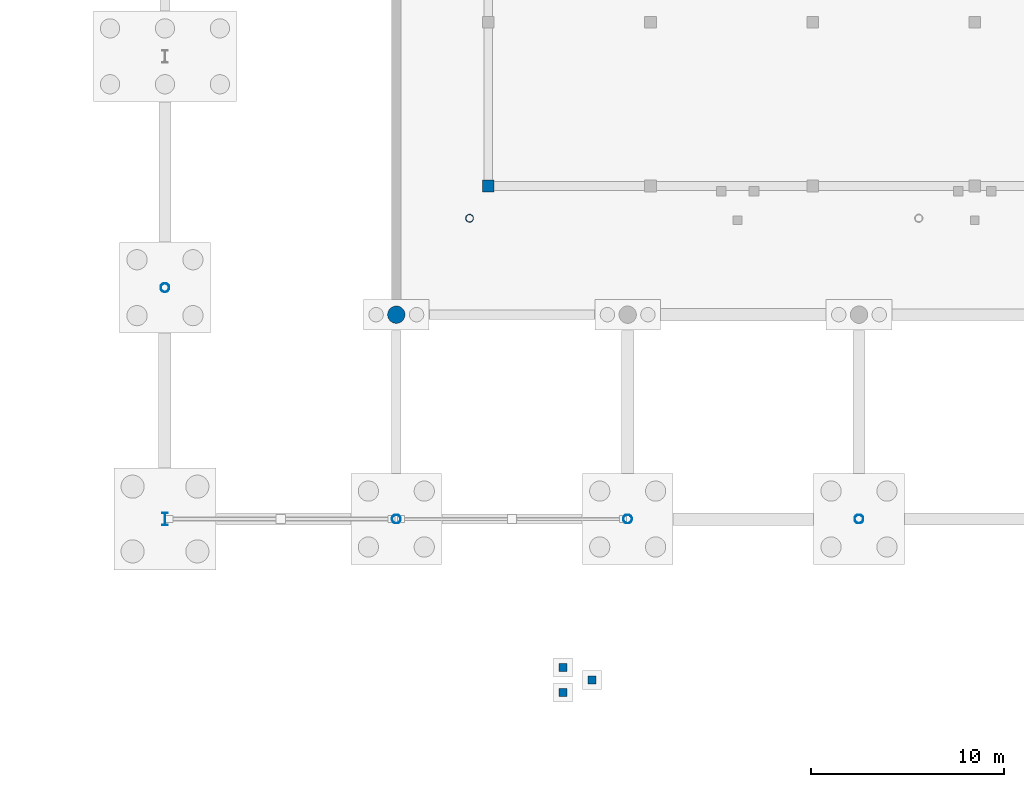
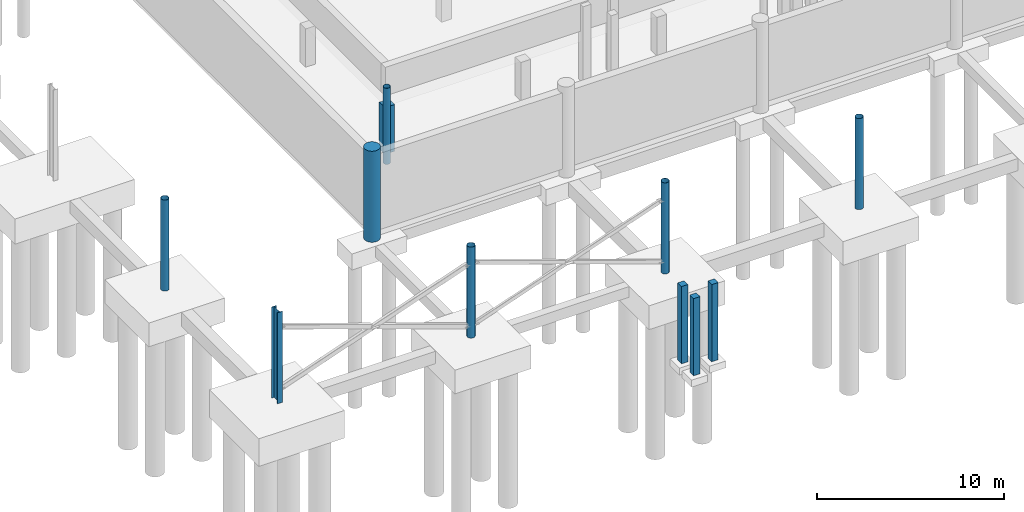
# One storey, part 9 of 42: 11 columns.
"""IFC4 building model written with IfcOpenShell, lengths in metres."""

from ifc_helpers import new_model, si_unit, direction, frame, origin, origin_2d, place, context, subcontext, project, spatial, rectangle, circle, hollow_circle, i_section, extrude, material, material_profile, profile_set, type_object, element, save


model = new_model("IFC4")

# Units and contexts
model_context = context("Model", 3, precision=1e-05, world=origin(), true_north=direction((0.0, 1.0)))
body_context = subcontext(model_context, "Body", "Model", "MODEL_VIEW")
ifc_project = project(units=[si_unit("LENGTHUNIT", "METRE"), si_unit("AREAUNIT", "SQUARE_METRE"), si_unit("VOLUMEUNIT", "CUBIC_METRE"), si_unit("PLANEANGLEUNIT", "RADIAN"), si_unit("MASSUNIT", "GRAM", prefix="KILO"), si_unit("THERMODYNAMICTEMPERATUREUNIT", "KELVIN"), si_unit("POWERUNIT", "WATT")], contexts=[model_context])

# Site, building, storey
site_placement = place(None, origin())
site = spatial("IfcSite", under=ifc_project, at=site_placement, CompositionType="ELEMENT")
building_placement = place(site_placement, origin())
building = spatial("IfcBuilding", under=site, at=building_placement, Name="Solmara Park Aquatics Centre", CompositionType="ELEMENT")
storey_placement = place(building_placement, frame((0.0, 0.0, -5.39990234375)))
storey = spatial("IfcBuildingStorey", under=building, at=storey_placement, Name="B1", CompositionType="ELEMENT", Elevation=-5.39990234375)

# Columns
ifc_material_1 = material(Name="Structural Steel S355", Category="steel")
ifc_material_profile_1 = material_profile(ifc_material_1, hollow_circle(Radius=0.203125, WallThickness=0.01611328125, at=origin_2d()), Name="CHS 406.4x16")
ifc_profile_set_1 = profile_set([ifc_material_profile_1], Name="Structural Steel S355")
column_type_1 = type_object("IfcColumnType", Name="STR-COL-CHS406", PredefinedType="COLUMN", material=ifc_profile_set_1)
column_1_placement = place(storey_placement, frame((28.39990234375, 28.199951171875, 0.0), z_axis=(0.0, 0.0, 1.0), x_axis=(1.0, 0.0, 0.0)))
element("IfcColumn", 1, at=column_1_placement, inside=storey, type_object=column_type_1, Name="Upper Stand Front Column B1 S1-1", PredefinedType="COLUMN", context=body_context, shape_type="SweptSolid", body=[
    extrude(hollow_circle(Radius=0.203125, WallThickness=0.01611328125, at=origin_2d()), origin(), (0.0, 0.0, 1.0), 4.97998046875),
])
ifc_material_profile_2 = material_profile(ifc_material_1, hollow_circle(Radius=0.228515625, WallThickness=0.01611328125, at=origin_2d()), Name="CHS 457x16")
ifc_profile_set_2 = profile_set([ifc_material_profile_2], Name="Structural Steel S355")
column_type_2 = type_object("IfcColumnType", Name="STR-COL-CHS457", PredefinedType="COLUMN", material=ifc_profile_set_2)
for number, where, z_axis, x_axis, name in (
    (2, (12.60009765625, 24.60009765625, -0.550048828125), (0.0, 0.0, 1.0), (1.0, 0.0, 0.0), "Column B1-0002"),
    (3, (24.60009765625, 12.60009765625, -0.550048828125), (0.0, 0.0, 1.0), (1.0, 0.0, 0.0), "Column B1-0010"),
    (4, (36.60009765625, 12.60009765625, -0.550048828125), (0.0, 0.0, 1.0), (1.0, 0.0, 0.0), "Column B1-0020"),
    (5, (48.60009765625, 12.60009765625, -0.550048828125), (0.0, 0.0, 1.0), (1.0, 0.0, 0.0), "Column B1-0030"),
):
    element("IfcColumn", number, at=place(storey_placement, frame(where, z_axis=z_axis, x_axis=x_axis)), inside=storey, type_object=column_type_2, Name=name, PredefinedType="COLUMN", context=body_context, shape_type="SweptSolid", body=[
        extrude(hollow_circle(Radius=0.228515625, WallThickness=0.01611328125, at=origin_2d()), origin(), (0.0, 0.0, 1.0), 5.949951171875),
    ])
ifc_material_profile_3 = material_profile(ifc_material_1, i_section(OverallWidth=0.300048828125, OverallDepth=0.64990234375, WebThickness=0.01611328125, FlangeThickness=0.031005859375, FilletRadius=0.027099609375, at=origin_2d()), Name="HEB 650")
ifc_profile_set_3 = profile_set([ifc_material_profile_3], Name="Structural Steel S355")
column_type_3 = type_object("IfcColumnType", Name="STR-COL-HEB650", PredefinedType="COLUMN", material=ifc_profile_set_3)
column_2_placement = place(storey_placement, frame((12.60009765625, 12.60009765625, -0.550048828125), z_axis=(0.0, 0.0, 1.0), x_axis=(1.0, 0.0, 0.0)))
element("IfcColumn", 6, at=column_2_placement, inside=storey, type_object=column_type_3, Name="Column B1-0001", PredefinedType="COLUMN", context=body_context, shape_type="SweptSolid", body=[
    extrude(i_section(OverallWidth=0.300048828125, OverallDepth=0.64990234375, WebThickness=0.01611328125, FlangeThickness=0.031005859375, FilletRadius=0.027099609375, at=origin_2d()), origin(), (0.0, 0.0, 1.0), 5.949951171875),
])
ifc_material_2 = material(Name="Concrete C40/50", Category="concrete")
ifc_material_profile_4 = material_profile(ifc_material_2, rectangle(XDim=0.39990234375, YDim=0.39990234375, at=origin_2d()), Name="RC 400x400")
ifc_profile_set_4 = profile_set([ifc_material_profile_4], Name="Concrete C40/50")
column_type_4 = type_object("IfcColumnType", Name="STR-COL-RC400", PredefinedType="COLUMN", material=ifc_profile_set_4)
for number, where, z_axis, x_axis, name in (
    (7, (33.25, 3.60009765625, -0.550048828125), (0.0, 0.0, 1.0), (1.0, 0.0, 0.0), "Competition Colonnade Accessible Ramp Foundation Pier 1"),
    (8, (33.25, 4.89990234375, -0.550048828125), (0.0, 0.0, 1.0), (1.0, 0.0, 0.0), "Competition Colonnade Accessible Ramp Foundation Pier 2"),
    (9, (34.75, 4.25, -0.550048828125), (0.0, 0.0, 1.0), (1.0, 0.0, 0.0), "Competition Colonnade Accessible Ramp Foundation Pier 3"),
):
    element("IfcColumn", number, at=place(storey_placement, frame(where, z_axis=z_axis, x_axis=x_axis)), inside=storey, type_object=column_type_4, Name=name, PredefinedType="COLUMN", context=body_context, shape_type="SweptSolid", body=[
        extrude(rectangle(XDim=0.39990234375, YDim=0.39990234375, at=origin_2d()), origin(), (0.0, 0.0, 1.0), 5.050048828125),
    ])
ifc_material_profile_5 = material_profile(ifc_material_2, rectangle(XDim=0.60009765625, YDim=0.60009765625, at=origin_2d()), Name="RC 600x600")
ifc_profile_set_5 = profile_set([ifc_material_profile_5], Name="Concrete C40/50")
column_type_5 = type_object("IfcColumnType", Name="STR-COL-RC600", PredefinedType="COLUMN", material=ifc_profile_set_5)
column_3_placement = place(storey_placement, frame((29.375, 29.875, -0.550048828125), z_axis=(0.0, 0.0, 1.0), x_axis=(1.0, 0.0, 0.0)))
element("IfcColumn", 10, at=column_3_placement, inside=storey, type_object=column_type_5, Name="Pool Tank Support Column 001", PredefinedType="COLUMN", context=body_context, shape_type="SweptSolid", body=[
    extrude(rectangle(XDim=0.60009765625, YDim=0.60009765625, at=origin_2d()), origin(), (0.0, 0.0, 1.0), 3.050048828125),
])
ifc_material_profile_6 = material_profile(ifc_material_2, circle(Radius=0.449951171875, at=origin_2d()), Name="RC COL D900")
ifc_profile_set_6 = profile_set([ifc_material_profile_6], Name="Concrete C40/50")
column_type_6 = type_object("IfcColumnType", Name="STR-COL-RCD900", PredefinedType="COLUMN", material=ifc_profile_set_6)
column_4_placement = place(storey_placement, frame((24.60009765625, 23.199951171875, -0.550048828125), z_axis=(0.0, 0.0, 1.0), x_axis=(1.0, 0.0, 0.0)))
element("IfcColumn", 11, at=column_4_placement, inside=storey, type_object=column_type_6, Name="Column B1-0011", PredefinedType="COLUMN", context=body_context, shape_type="SweptSolid", body=[
    extrude(circle(Radius=0.449951171875, at=origin_2d()), origin(), (0.0, 0.0, 1.0), 5.949951171875),
])

save(model, "model.ifc")
